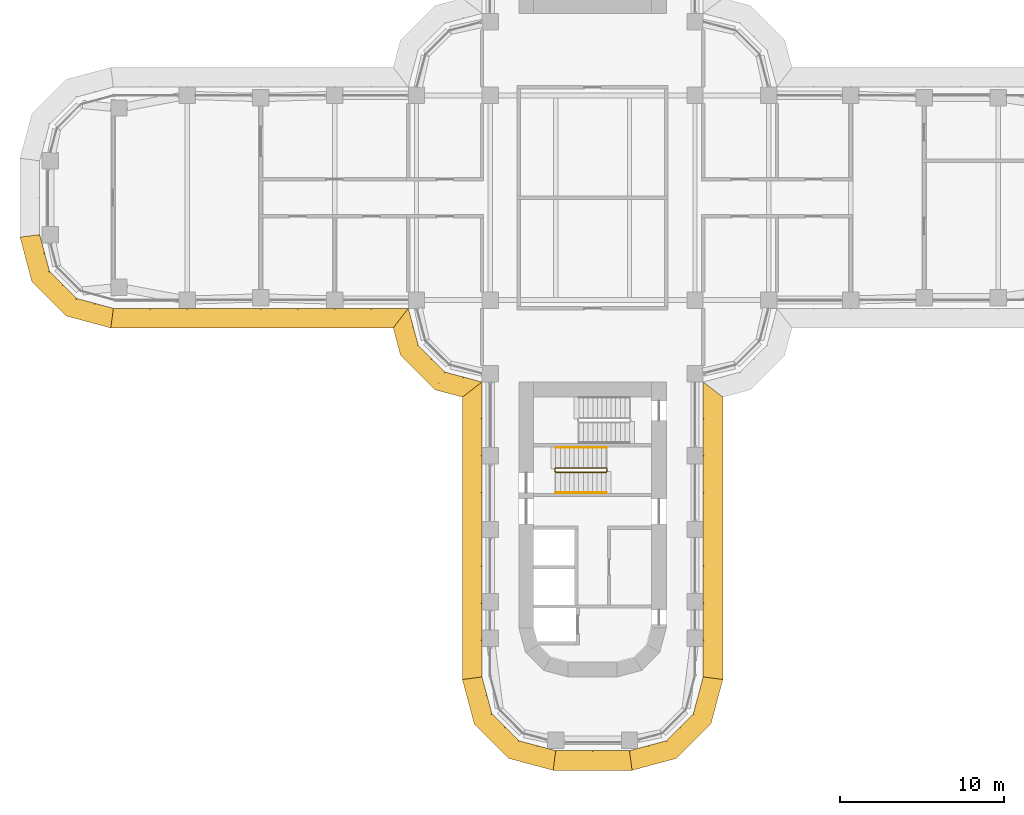
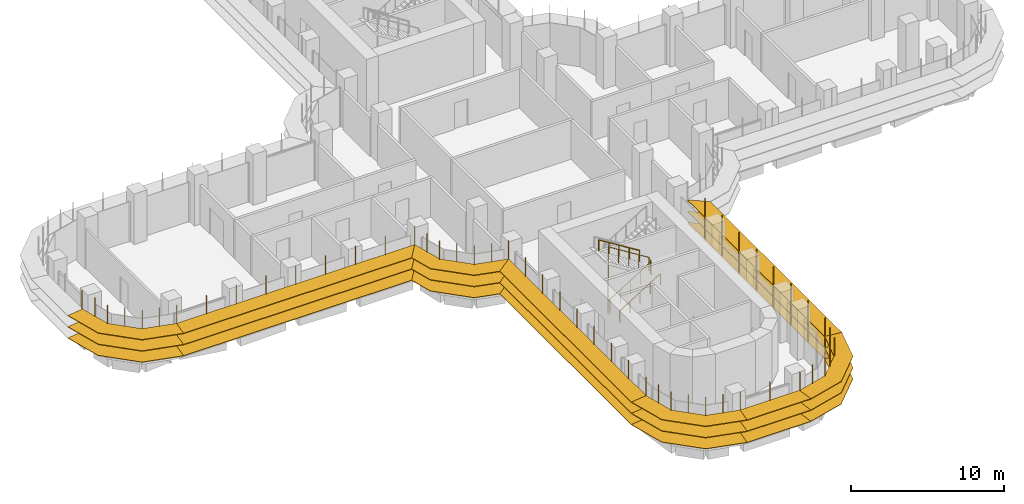
# One storey, part 20 of 23: 8 shading devices, 3 railings.
"""IFC4 building model written with IfcOpenShell, lengths in metres."""

import ifcopenshell
import ifcopenshell.guid

model = None  # the IFC model being written
_history = None  # IfcOwnerHistory: only IFC2X3 demands one
_inside = {}  # id of a spatial element -> (the spatial element, [elements in it])
_under = {}  # id of a project, library or spatial element -> (it, [spatial elements below it])
_declared = {}  # id of a project -> (the project, [libraries it declares])
_typed = {}  # id of a type object -> (the type object, [elements of that type])
_made_of = {}  # id of a material, layer set ... -> (it, [elements and type objects made of it])


def new_model(schema):
    """Start an empty IFC model of exactly this schema.

    Asked for "IFC4X3", IfcOpenShell would pick the latest addendum, in which some entities
    have other attributes; the version numbers below select the first issue.
    IFC2X3 requires an IfcOwnerHistory on every rooted entity: one is made here for all.
    """
    global model, _history
    if schema == "IFC4X3":
        model = ifcopenshell.file(schema_version=(4, 3, 0, 0))
    else:
        model = ifcopenshell.file(schema=schema)
    _inside.clear()
    _under.clear()
    _declared.clear()
    _typed.clear()
    _made_of.clear()
    _history = None
    if model.schema == "IFC2X3":
        org = make("IfcOrganization", Name="unknown")
        user = make(
            "IfcPersonAndOrganization",
            ThePerson=make("IfcPerson", FamilyName="unknown"),
            TheOrganization=org,
        )
        app = make(
            "IfcApplication",
            ApplicationDeveloper=org,
            Version="unknown",
            ApplicationFullName="unknown",
            ApplicationIdentifier="unknown",
        )
        _history = make(
            "IfcOwnerHistory",
            OwningUser=user,
            OwningApplication=app,
            ChangeAction="ADDED",
            CreationDate=0,
        )
    return model


def make(cls, **values):
    """One entity of the class cls with the attributes given. An attribute that is None is left unset."""
    return model.create_entity(
        cls, **{name: value for name, value in values.items() if value is not None}
    )


def rooted(cls, **values):
    """An entity with a GlobalId (a new one), such as an element, a storey or a relation."""
    return make(cls, GlobalId=ifcopenshell.guid.new(), OwnerHistory=_history, **values)


def si_unit(unit_type, name, prefix=None):
    """IfcSIUnit, for example si_unit("LENGTHUNIT", "METRE", prefix="MILLI")."""
    return make("IfcSIUnit", UnitType=unit_type, Prefix=prefix, Name=name)


def assignment(units):
    """IfcUnitAssignment: the units of a project."""
    return None if units is None else make("IfcUnitAssignment", Units=units)


def point(xyz):
    """IfcCartesianPoint."""
    return None if xyz is None else make("IfcCartesianPoint", Coordinates=xyz)


def direction(xyz):
    """IfcDirection."""
    return None if xyz is None else make("IfcDirection", DirectionRatios=xyz)


def frame(location, z_axis=None, x_axis=None):
    """IfcAxis2Placement3D, a coordinate frame: its origin and axes. An axis left out is left unset."""
    return make(
        "IfcAxis2Placement3D",
        Location=point(location),
        Axis=direction(z_axis),
        RefDirection=direction(x_axis),
    )


def frame_2d(location, x_axis=None):
    """IfcAxis2Placement2D, a coordinate frame in the plane: its origin and x axis."""
    return make(
        "IfcAxis2Placement2D", Location=point(location), RefDirection=direction(x_axis)
    )


def origin():
    """The frame at (0, 0, 0) with its axes left unset."""
    return frame((0.0, 0.0, 0.0))


def origin_2d():
    """The frame at (0, 0) in the plane with its x axis left unset."""
    return frame_2d((0.0, 0.0))


def place(relative_to, where):
    """IfcLocalPlacement: puts the frame where relative to a parent placement (None: the world)."""
    return make(
        "IfcLocalPlacement", PlacementRelTo=relative_to, RelativePlacement=where
    )


def context(
    kind, dimensions, precision=None, world=None, true_north=None, identifier=None
):
    """IfcGeometricRepresentationContext, for example the 3D "Model" context."""
    return make(
        "IfcGeometricRepresentationContext",
        ContextIdentifier=identifier,
        ContextType=kind,
        CoordinateSpaceDimension=dimensions,
        Precision=precision,
        WorldCoordinateSystem=world,
        TrueNorth=true_north,
    )


def subcontext(parent, identifier, kind, view, scale=None):
    """IfcGeometricRepresentationSubContext, for example "Body" below "Model"."""
    return make(
        "IfcGeometricRepresentationSubContext",
        ContextIdentifier=identifier,
        ContextType=kind,
        ParentContext=parent,
        TargetScale=scale,
        TargetView=view,
    )


def project(units=None, contexts=None):
    """IfcProject with its units and contexts."""
    return rooted(
        "IfcProject",
        Name="project",
        RepresentationContexts=contexts,
        UnitsInContext=assignment(units),
    )


def spatial(cls, under=None, at=None, **own):
    """A site, building, storey or space (cls), placed at a placement, below another one or the project."""
    s = rooted(cls, ObjectPlacement=at, **own)
    if under is not None:
        _under.setdefault(under.id(), (under, []))[1].append(s)
    return s


def polyline(points):
    """IfcPolyline through the points."""
    return make("IfcPolyline", Points=[point(p) for p in points])


def profile(cls, at=None, kind="AREA", **sizes):
    """A parametric profile (cls). Its sizes go by their IFC names, for example OverallWidth=200.0."""
    return make(cls, ProfileType=kind, Position=at, **sizes)


def circle(**sizes):
    """IfcCircleProfileDef."""
    return profile("IfcCircleProfileDef", **sizes)


def outline(outer, holes=None, kind="AREA"):
    """IfcArbitraryClosedProfileDef: a profile drawn as a closed curve; with holes, ...WithVoids."""
    if holes is None:
        return make("IfcArbitraryClosedProfileDef", ProfileType=kind, OuterCurve=outer)
    return make(
        "IfcArbitraryProfileDefWithVoids",
        ProfileType=kind,
        OuterCurve=outer,
        InnerCurves=holes,
    )


def extrude(swept, where, along, depth):
    """IfcExtrudedAreaSolid: the profile swept, set in the frame where, extruded along a direction by depth."""
    return make(
        "IfcExtrudedAreaSolid",
        SweptArea=swept,
        Position=where,
        ExtrudedDirection=direction(along),
        Depth=depth,
    )


def faces_of(points, faces, orient=None, outer=None):
    """IfcFace entities. A face is a list of loops; a loop is a list of indices into points, from 0.

    orient and outer hold one flag for each loop. By default every Orientation is true, the
    first loop of a face is its IfcFaceOuterBound and the others are IfcFaceBound.
    """
    made = []
    for i, loops in enumerate(faces):
        bounds = []
        for j, loop in enumerate(loops):
            is_outer = j == 0 if outer is None else outer[i][j]
            bounds.append(
                make(
                    "IfcFaceOuterBound" if is_outer else "IfcFaceBound",
                    Bound=make("IfcPolyLoop", Polygon=[points[k] for k in loop]),
                    Orientation=True if orient is None else orient[i][j],
                )
            )
        made.append(make("IfcFace", Bounds=bounds))
    return made


def faceted_brep(points, faces, orient=None, outer=None, voids=None):
    """IfcFacetedBrep: a solid bounded by flat faces; with voids (closed shells), ...WithVoids."""
    shared = [point(p) for p in points]
    hull = make("IfcClosedShell", CfsFaces=faces_of(shared, faces, orient, outer))
    if voids is None:
        return make("IfcFacetedBrep", Outer=hull)
    return make(
        "IfcFacetedBrepWithVoids",
        Outer=hull,
        Voids=[
            make(cls, CfsFaces=faces_of(shared, fs, o, b)) for cls, fs, o, b in voids
        ],
    )


def shape(context_of_items, identifier, shape_type, items):
    """IfcShapeRepresentation: the items that make up one representation, for example the "Body"."""
    return make(
        "IfcShapeRepresentation",
        ContextOfItems=context_of_items,
        RepresentationIdentifier=identifier,
        RepresentationType=shape_type,
        Items=items,
    )


def source(mapping_origin, context_of_items, identifier, shape_type, items):
    """IfcRepresentationMap: a shape defined once, which mapped items show again and again."""
    return make(
        "IfcRepresentationMap",
        MappingOrigin=mapping_origin,
        MappedRepresentation=shape(context_of_items, identifier, shape_type, items),
    )


def transform(
    local_origin,
    x_axis=None,
    y_axis=None,
    z_axis=None,
    scale=None,
    scale2=None,
    scale3=None,
    uniform=True,
):
    """IfcCartesianTransformationOperator3D, or its non-uniform kind. x_axis, y_axis, z_axis: its Axis1, 2, 3."""
    if uniform:
        return make(
            "IfcCartesianTransformationOperator3D",
            Axis1=direction(x_axis),
            Axis2=direction(y_axis),
            LocalOrigin=point(local_origin),
            Scale=scale,
            Axis3=direction(z_axis),
        )
    return make(
        "IfcCartesianTransformationOperator3DnonUniform",
        Axis1=direction(x_axis),
        Axis2=direction(y_axis),
        LocalOrigin=point(local_origin),
        Scale=scale,
        Axis3=direction(z_axis),
        Scale2=scale2,
        Scale3=scale3,
    )


def mapped(mapping_source, mapping_target):
    """IfcMappedItem: shows the shape of a source again, moved by a transform."""
    return make(
        "IfcMappedItem", MappingSource=mapping_source, MappingTarget=mapping_target
    )


def material(Name=None, Category=None):
    """IfcMaterial."""
    return make("IfcMaterial", Name=Name, Category=Category)


def made_of(thing, what):
    """Note that an element or type object is made of a material, layer set ...; save() writes the relation."""
    if what is not None:
        _made_of.setdefault(what.id(), (what, []))[1].append(thing)
    return thing


def type_object(cls, material=None, **own):
    """A type object (cls), such as IfcWallType, which elements share."""
    return made_of(rooted(cls, **own), material)


def element(
    cls,
    number,
    at=None,
    inside=None,
    cuts=None,
    type_object=None,
    material=None,
    context=None,
    identifier="Body",
    shape_type=None,
    held_by="IfcProductDefinitionShape",
    body=None,
    shapes=None,
    **own,
):
    """One element of the class cls, such as IfcWall. Its Tag is "e" and its number.

    at: its placement. inside: the storey or other place that contains it. cuts: it is an
    opening in that element (IfcRelVoidsElement). A single representation is given by context,
    identifier, shape_type and body (its items); several are given by shapes. held_by: the class
    of the entity that holds the representations. save() writes the other relations.
    """
    e = rooted(cls, Tag="e%d" % number, ObjectPlacement=at, **own)
    if body is not None:
        shapes = [shape(context, identifier, shape_type, body)]
    if shapes is not None:
        e.Representation = make(held_by, Representations=shapes)
    if inside is not None:
        _inside.setdefault(inside.id(), (inside, []))[1].append(e)
    if cuts is not None:
        rooted(
            "IfcRelVoidsElement", RelatingBuildingElement=cuts, RelatedOpeningElement=e
        )
    if type_object is not None:
        _typed.setdefault(type_object.id(), (type_object, []))[1].append(e)
    return made_of(e, material)


def aggregate(whole, parts):
    """IfcRelAggregates: a whole, such as a stair, and the parts it consists of."""
    return rooted("IfcRelAggregates", RelatingObject=whole, RelatedObjects=parts)


def save(model, path):
    """Write the relations noted so far, then the file.

    IfcRelAggregates (storeys below a building ...), IfcRelContainedInSpatialStructure (elements
    in a storey), IfcRelDefinesByType, IfcRelAssociatesMaterial and IfcRelDeclares: one each for
    every whole, place, type object, material and project.
    """
    for whole, parts in _under.values():
        aggregate(whole, parts)
    for where, things in _inside.values():
        rooted(
            "IfcRelContainedInSpatialStructure",
            RelatedElements=things,
            RelatingStructure=where,
        )
    for kind, things in _typed.values():
        rooted("IfcRelDefinesByType", RelatedObjects=things, RelatingType=kind)
    for what, things in _made_of.values():
        rooted("IfcRelAssociatesMaterial", RelatedObjects=things, RelatingMaterial=what)
    for by, libraries in _declared.values():
        rooted("IfcRelDeclares", RelatingContext=by, RelatedDefinitions=libraries)
    model.write(path)


model = new_model("IFC4")

# Units and contexts
model_context = context("Model", 3, precision=1e-05, world=origin(), true_north=direction((0.0, 1.0)))
body_context = subcontext(model_context, "Body", "Model", "MODEL_VIEW")
ifc_project = project(units=[si_unit("LENGTHUNIT", "METRE"), si_unit("AREAUNIT", "SQUARE_METRE"), si_unit("VOLUMEUNIT", "CUBIC_METRE"), si_unit("PLANEANGLEUNIT", "RADIAN"), si_unit("MASSUNIT", "GRAM", prefix="KILO")], contexts=[model_context])

# Site, building, storey
site_placement = place(None, origin())
site = spatial("IfcSite", under=ifc_project, at=site_placement, CompositionType="ELEMENT")
building_placement = place(site_placement, origin())
building = spatial("IfcBuilding", under=site, at=building_placement, Name="Zarbagh Exchange Tower", CompositionType="ELEMENT")
storey_placement = place(building_placement, frame((0.0, 0.0, 43.800048828125)))
storey = spatial("IfcBuildingStorey", under=building, at=storey_placement, Name="L09", CompositionType="ELEMENT", Elevation=43.800048828125)

# Railings
ifc_material_1 = material(Name="Stainless steel", Category="steel")
railing_type_1 = type_object("IfcRailingType", Name="Stair guard 1100 mm", PredefinedType="GUARDRAIL", material=ifc_material_1)
railing_1_placement = place(storey_placement, frame((0.830078125, -16.5, 2.27490234375)))
element("IfcRailing", 1, at=railing_1_placement, inside=storey, type_object=railing_type_1, Name="ST3 stair guard 1", PredefinedType="GUARDRAIL", context=body_context, shape_type="SweptSolid", body=[
    extrude(circle(Radius=0.02392578125, at=origin_2d()), frame((0.0, 0.0, 1.076171875), z_axis=(-0.847998304005, 0.0, 0.529998940003), x_axis=(0.0, -1.0, 0.0)), (0.0, 0.0, 1.0), 3.632080078125),
    extrude(circle(Radius=0.02392578125, at=origin_2d()), frame((-3.080078125, 0.0, 3.0009765625), z_axis=(-0.011914834358, -0.011914834358, -0.999858026644), x_axis=(0.707106781187, -0.707106781187, 0.0)), (0.0, 0.0, 1.0), 4.200439453125),
    extrude(circle(Radius=0.02392578125, at=origin_2d()), frame((-3.130126953125, -0.050048828125, -1.19873046875), z_axis=(0.0, -1.0, 0.0), x_axis=(1.0, 0.0, 0.0)), (0.0, 0.0, 1.0), 0.14990234375),
    extrude(circle(Radius=0.02392578125, at=origin_2d()), frame((-3.130126953125, -0.199951171875, -1.19873046875), z_axis=(0.265065253269, -0.265065253269, 0.927081885822), x_axis=(0.707106781187, 0.707106781187, 0.0)), (0.0, 0.0, 1.0), 0.188720703125),
    extrude(circle(Radius=0.02392578125, at=origin_2d()), frame((-3.080078125, -0.25, -1.02392578125), z_axis=(0.848028513186, 0.0, 0.529950602248), x_axis=(0.0, 1.0, 0.0)), (0.0, 0.0, 1.0), 3.632080078125),
    extrude(circle(Radius=0.02392578125, at=origin_2d()), frame((0.0, -0.25, 0.90087890625), z_axis=(0.705375805398, 0.708833529934, 0.0), x_axis=(-0.708833529934, 0.705375805398, 0.0)), (0.0, 0.0, 1.0), 0.070556640625),
    extrude(circle(Radius=0.02392578125, at=origin_2d()), frame((0.0498046875, -0.199951171875, 0.90087890625), z_axis=(0.0, 1.0, 0.0), x_axis=(-1.0, 0.0, 0.0)), (0.0, 0.0, 1.0), 0.14990234375),
    extrude(circle(Radius=0.02099609375, at=origin_2d()), origin(), (0.0, 0.0, 1.0), 1.052001953125),
    extrude(circle(Radius=0.02099609375, at=origin_2d()), frame((-0.77001953125, 0.0, 0.481201171875)), (0.0, 0.0, 1.0), 1.052001953125),
    extrude(circle(Radius=0.02099609375, at=origin_2d()), frame((-1.5400390625, 0.0, 0.96240234375)), (0.0, 0.0, 1.0), 1.052001953125),
    extrude(circle(Radius=0.02099609375, at=origin_2d()), frame((-2.31005859375, 0.0, 1.44384765625)), (0.0, 0.0, 1.0), 1.052001953125),
    extrude(circle(Radius=0.02099609375, at=origin_2d()), frame((-3.080078125, 0.0, 1.925048828125)), (0.0, 0.0, 1.0), 1.052001953125),
    extrude(circle(Radius=0.02099609375, at=origin_2d()), frame((-3.092529296875, -0.012451171875, 0.875)), (0.0, 0.0, 1.0), 1.052001953125),
    extrude(circle(Radius=0.02099609375, at=origin_2d()), frame((-3.10498046875, -0.02490234375, -0.1748046875)), (0.0, 0.0, 1.0), 1.052001953125),
    extrude(circle(Radius=0.02099609375, at=origin_2d()), frame((-3.11767578125, -0.03759765625, -1.224853515625)), (0.0, 0.0, 1.0), 1.052001953125),
    extrude(circle(Radius=0.02099609375, at=origin_2d()), frame((-3.130126953125, -0.050048828125, -2.27490234375)), (0.0, 0.0, 1.0), 1.052001953125),
    extrude(circle(Radius=0.02099609375, at=origin_2d()), frame((-3.130126953125, -0.199951171875, -2.27490234375)), (0.0, 0.0, 1.0), 1.052001953125),
    extrude(circle(Radius=0.02099609375, at=origin_2d()), frame((-3.080078125, -0.25, -2.099853515625)), (0.0, 0.0, 1.0), 1.052001953125),
    extrude(circle(Radius=0.02099609375, at=origin_2d()), frame((-2.31005859375, -0.25, -1.61865234375)), (0.0, 0.0, 1.0), 1.052001953125),
    extrude(circle(Radius=0.02099609375, at=origin_2d()), frame((-1.5400390625, -0.25, -1.137451171875)), (0.0, 0.0, 1.0), 1.052001953125),
    extrude(circle(Radius=0.02099609375, at=origin_2d()), frame((-0.77001953125, -0.25, -0.65625)), (0.0, 0.0, 1.0), 1.052001953125),
    extrude(circle(Radius=0.02099609375, at=origin_2d()), frame((0.0, -0.25, -0.175048828125)), (0.0, 0.0, 1.0), 1.052001953125),
    extrude(circle(Radius=0.02099609375, at=origin_2d()), frame((0.0498046875, -0.199951171875, -0.175048828125)), (0.0, 0.0, 1.0), 1.052001953125),
    extrude(circle(Radius=0.02099609375, at=origin_2d()), frame((0.0498046875, -0.050048828125, -0.175048828125)), (0.0, 0.0, 1.0), 1.052001953125),
])
railing_type_2 = type_object("IfcRailingType", Name="Stair handrail 900 mm", PredefinedType="HANDRAIL", material=ifc_material_1)
railing_2_placement = place(storey_placement, frame((-2.25, -18.0, 0.175048828125)))
element("IfcRailing", 2, at=railing_2_placement, inside=storey, type_object=railing_type_2, Name="ST3 stair handrail 1", PredefinedType="HANDRAIL", context=body_context, shape_type="SweptSolid", body=[
    extrude(circle(Radius=0.02392578125, at=origin_2d()), frame((0.0, 0.0, 0.8759765625), z_axis=(0.848028513186, 0.0, 0.529950602248), x_axis=(0.0, 1.0, 0.0)), (0.0, 0.0, 1.0), 3.632080078125),
    extrude(circle(Radius=0.02099609375, at=origin_2d()), origin(), (0.0, 0.0, 1.0), 0.851806640625),
    extrude(circle(Radius=0.02099609375, at=origin_2d()), frame((0.77001953125, 0.0, 0.481201171875)), (0.0, 0.0, 1.0), 0.851806640625),
    extrude(circle(Radius=0.02099609375, at=origin_2d()), frame((1.5400390625, 0.0, 0.96240234375)), (0.0, 0.0, 1.0), 0.851806640625),
    extrude(circle(Radius=0.02099609375, at=origin_2d()), frame((2.31005859375, 0.0, 1.443603515625)), (0.0, 0.0, 1.0), 0.851806640625),
    extrude(circle(Radius=0.02099609375, at=origin_2d()), frame((3.080078125, 0.0, 1.9248046875)), (0.0, 0.0, 1.0), 0.851806640625),
])
railing_3_placement = place(storey_placement, frame((0.830078125, -15.25, 2.27490234375)))
element("IfcRailing", 3, at=railing_3_placement, inside=storey, type_object=railing_type_2, Name="ST3 stair handrail 2", PredefinedType="HANDRAIL", context=body_context, shape_type="SweptSolid", body=[
    extrude(circle(Radius=0.02392578125, at=origin_2d()), frame((0.0, 0.0, 0.8759765625), z_axis=(-0.847998304005, 0.0, 0.529998940003), x_axis=(0.0, -1.0, 0.0)), (0.0, 0.0, 1.0), 3.632080078125),
    extrude(circle(Radius=0.02099609375, at=origin_2d()), origin(), (0.0, 0.0, 1.0), 0.851806640625),
    extrude(circle(Radius=0.02099609375, at=origin_2d()), frame((-0.77001953125, 0.0, 0.481201171875)), (0.0, 0.0, 1.0), 0.851806640625),
    extrude(circle(Radius=0.02099609375, at=origin_2d()), frame((-1.5400390625, 0.0, 0.96240234375)), (0.0, 0.0, 1.0), 0.851806640625),
    extrude(circle(Radius=0.02099609375, at=origin_2d()), frame((-2.31005859375, 0.0, 1.44384765625)), (0.0, 0.0, 1.0), 0.851806640625),
    extrude(circle(Radius=0.02099609375, at=origin_2d()), frame((-3.080078125, 0.0, 1.925048828125)), (0.0, 0.0, 1.0), 0.851806640625),
])

# Shading devices
ifc_material_2 = material(Name="Anodised aluminium blades and brackets", Category="aluminium")
shading_device_type = type_object("IfcShadingDeviceType", Name="SUNSHADE louvre band, 0 degree blades", PredefinedType="JALOUSIE", material=ifc_material_2)
shared_shape_1 = source(origin(), body_context, "Body", "Brep", [
    faceted_brep([(0.0, 0.0, 0.0), (0.0, 0.0, -0.0400390625), (-0.157958984375, -1.199951171875, -0.0400390625), (-0.157958984375, -1.199951171875, 0.0), (2.65087890625, -1.199951171875, 0.0), (2.65087890625, -1.199951171875, -0.0400390625), (2.329345703125, 0.0, -0.0400390625), (2.329345703125, 0.0, 0.0)], [[[0, 1, 2, 3]], [[4, 5, 6, 7]], [[0, 7, 6, 1]], [[1, 6, 5, 2]], [[2, 5, 4, 3]], [[3, 4, 7, 0]]]),
])
shared_shape_2 = source(origin(), body_context, "Body", "Brep", [
    faceted_brep([(0.0, 0.0, 0.0), (0.0, 0.0, -0.0400390625), (-0.321533203125, -1.199951171875, -0.0400390625), (-0.321533203125, -1.199951171875, 0.0), (2.65087890625, -1.199951171875, 0.0), (2.65087890625, -1.199951171875, -0.0400390625), (2.329345703125, 0.0, -0.0400390625), (2.329345703125, 0.0, 0.0)], [[[0, 1, 2, 3]], [[4, 5, 6, 7]], [[0, 7, 6, 1]], [[1, 6, 5, 2]], [[2, 5, 4, 3]], [[3, 4, 7, 0]]]),
])
shared_shape_3 = source(origin(), body_context, "Body", "Brep", [
    faceted_brep([(0.0, 0.0, 0.0), (0.0, 0.0, -0.0400390625), (-0.321533203125, -1.199951171875, -0.0400390625), (-0.321533203125, -1.199951171875, 0.0), (2.4873046875, -1.199951171875, 0.0), (2.4873046875, -1.199951171875, -0.0400390625), (2.329345703125, 0.0, -0.0400390625), (2.329345703125, 0.0, 0.0)], [[[0, 1, 2, 3]], [[4, 5, 6, 7]], [[0, 7, 6, 1]], [[1, 6, 5, 2]], [[2, 5, 4, 3]], [[3, 4, 7, 0]]]),
])
shared_shape_4 = source(origin(), body_context, "Body", "SweptSolid", [
    extrude(outline(polyline([(0.0, -0.012451171875), (0.06005859375, -0.012451171875), (0.06005859375, 0.012451171875), (0.0, 0.012451171875), (0.0, -0.012451171875)])), origin(), (0.0, 0.0, 1.0), 3.35009765625),
])
placement = place(storey_placement, origin())
element("IfcShadingDevice", 4, at=placement, inside=storey, type_object=shading_device_type, Name="SS01 sunshade band", PredefinedType="JALOUSIE", context=body_context, shape_type="MappedRepresentation", body=[
    mapped(shared_shape_1, transform((2.25, -33.75, 2.699951171875), x_axis=(0.965924289636, 0.258824779902, 0.0), y_axis=(-0.258824779902, 0.965924289636, 0.0), z_axis=(0.0, 0.0, 1.0))),
    mapped(shared_shape_1, transform((2.25, -33.75, 1.800048828125), x_axis=(0.965924289636, 0.258824779902, 0.0), y_axis=(-0.258824779902, 0.965924289636, 0.0), z_axis=(0.0, 0.0, 1.0))),
    mapped(shared_shape_1, transform((2.25, -33.75, 0.89990234375), x_axis=(0.965924289636, 0.258824779902, 0.0), y_axis=(-0.258824779902, 0.965924289636, 0.0), z_axis=(0.0, 0.0, 1.0))),
    mapped(shared_shape_2, transform((4.5, -33.147216796875, 2.699951171875), x_axis=(0.707106781187, 0.707106781187, 0.0), y_axis=(-0.707106781187, 0.707106781187, 0.0), z_axis=(0.0, 0.0, 1.0))),
    mapped(shared_shape_2, transform((4.5, -33.147216796875, 1.800048828125), x_axis=(0.707106781187, 0.707106781187, 0.0), y_axis=(-0.707106781187, 0.707106781187, 0.0), z_axis=(0.0, 0.0, 1.0))),
    mapped(shared_shape_2, transform((4.5, -33.147216796875, 0.89990234375), x_axis=(0.707106781187, 0.707106781187, 0.0), y_axis=(-0.707106781187, 0.707106781187, 0.0), z_axis=(0.0, 0.0, 1.0))),
    mapped(shared_shape_3, transform((6.147216796875, -31.5, 2.699951171875), x_axis=(0.258824779902, 0.965924289636, 0.0), y_axis=(-0.965924289636, 0.258824779902, 0.0), z_axis=(0.0, 0.0, 1.0))),
    mapped(shared_shape_3, transform((6.147216796875, -31.5, 1.800048828125), x_axis=(0.258824779902, 0.965924289636, 0.0), y_axis=(-0.965924289636, 0.258824779902, 0.0), z_axis=(0.0, 0.0, 1.0))),
    mapped(shared_shape_3, transform((6.147216796875, -31.5, 0.89990234375), x_axis=(0.258824779902, 0.965924289636, 0.0), y_axis=(-0.965924289636, 0.258824779902, 0.0), z_axis=(0.0, 0.0, 1.0))),
    mapped(shared_shape_4, transform((2.25, -33.75, 0.829833984375), x_axis=(0.130529263012, -0.991444457092, 0.0), y_axis=(0.991444457092, 0.130529263012, 0.0), z_axis=(0.0, 0.0, 1.0))),
    mapped(shared_shape_4, transform((3.375, -33.448486328125, 0.829833984375), x_axis=(0.258825058029, -0.96592421511, 0.0), y_axis=(0.96592421511, 0.258825058029, 0.0), z_axis=(0.0, 0.0, 1.0))),
    mapped(shared_shape_4, transform((4.5, -33.147216796875, 0.829833984375), x_axis=(0.50000275701, -0.866023812018, 0.0), y_axis=(0.866023812018, 0.50000275701, 0.0), z_axis=(0.0, 0.0, 1.0))),
    mapped(shared_shape_4, transform((5.323486328125, -32.323486328125, 0.829833984375), x_axis=(0.707106781187, -0.707106781187, 0.0), y_axis=(0.707106781187, 0.707106781187, 0.0), z_axis=(0.0, 0.0, 1.0))),
    mapped(shared_shape_4, transform((6.147216796875, -31.5, 0.829833984375), x_axis=(0.866023812018, -0.50000275701, 0.0), y_axis=(0.50000275701, 0.866023812018, 0.0), z_axis=(0.0, 0.0, 1.0))),
    mapped(shared_shape_4, transform((6.448486328125, -30.375, 0.829833984375), x_axis=(0.96592421511, -0.258825058029, 0.0), y_axis=(0.258825058029, 0.96592421511, 0.0), z_axis=(0.0, 0.0, 1.0))),
])
element("IfcShadingDevice", 5, at=placement, inside=storey, type_object=shading_device_type, Name="SS19 sunshade band", PredefinedType="JALOUSIE", context=body_context, shape_type="MappedRepresentation", body=[
    mapped(shared_shape_1, transform((-33.75, -2.25, 2.699951171875), x_axis=(0.258824779902, -0.965924289636, 0.0), y_axis=(0.965924289636, 0.258824779902, 0.0), z_axis=(0.0, 0.0, 1.0))),
    mapped(shared_shape_1, transform((-33.75, -2.25, 1.800048828125), x_axis=(0.258824779902, -0.965924289636, 0.0), y_axis=(0.965924289636, 0.258824779902, 0.0), z_axis=(0.0, 0.0, 1.0))),
    mapped(shared_shape_1, transform((-33.75, -2.25, 0.89990234375), x_axis=(0.258824779902, -0.965924289636, 0.0), y_axis=(0.965924289636, 0.258824779902, 0.0), z_axis=(0.0, 0.0, 1.0))),
    mapped(shared_shape_2, transform((-33.147216796875, -4.5, 2.699951171875), x_axis=(0.707106781187, -0.707106781187, 0.0), y_axis=(0.707106781187, 0.707106781187, 0.0), z_axis=(0.0, 0.0, 1.0))),
    mapped(shared_shape_2, transform((-33.147216796875, -4.5, 1.800048828125), x_axis=(0.707106781187, -0.707106781187, 0.0), y_axis=(0.707106781187, 0.707106781187, 0.0), z_axis=(0.0, 0.0, 1.0))),
    mapped(shared_shape_2, transform((-33.147216796875, -4.5, 0.89990234375), x_axis=(0.707106781187, -0.707106781187, 0.0), y_axis=(0.707106781187, 0.707106781187, 0.0), z_axis=(0.0, 0.0, 1.0))),
    mapped(shared_shape_3, transform((-31.5, -6.147216796875, 2.699951171875), x_axis=(0.965924289636, -0.258824779902, 0.0), y_axis=(0.258824779902, 0.965924289636, 0.0), z_axis=(0.0, 0.0, 1.0))),
    mapped(shared_shape_3, transform((-31.5, -6.147216796875, 1.800048828125), x_axis=(0.965924289636, -0.258824779902, 0.0), y_axis=(0.258824779902, 0.965924289636, 0.0), z_axis=(0.0, 0.0, 1.0))),
    mapped(shared_shape_3, transform((-31.5, -6.147216796875, 0.89990234375), x_axis=(0.965924289636, -0.258824779902, 0.0), y_axis=(0.258824779902, 0.965924289636, 0.0), z_axis=(0.0, 0.0, 1.0))),
    mapped(shared_shape_4, transform((-33.75, -2.25, 0.829833984375), x_axis=(-0.991444457092, -0.130529263012, 0.0), y_axis=(0.130529263012, -0.991444457092, 0.0), z_axis=(0.0, 0.0, 1.0))),
    mapped(shared_shape_4, transform((-33.448486328125, -3.375, 0.829833984375), x_axis=(-0.96592421511, -0.258825058029, 0.0), y_axis=(0.258825058029, -0.96592421511, 0.0), z_axis=(0.0, 0.0, 1.0))),
    mapped(shared_shape_4, transform((-33.147216796875, -4.5, 0.829833984375), x_axis=(-0.866023812018, -0.50000275701, 0.0), y_axis=(0.50000275701, -0.866023812018, 0.0), z_axis=(0.0, 0.0, 1.0))),
    mapped(shared_shape_4, transform((-32.323486328125, -5.323486328125, 0.829833984375), x_axis=(-0.707106781187, -0.707106781187, 0.0), y_axis=(0.707106781187, -0.707106781187, 0.0), z_axis=(0.0, 0.0, 1.0))),
    mapped(shared_shape_4, transform((-31.5, -6.147216796875, 0.829833984375), x_axis=(-0.50000275701, -0.866023812018, 0.0), y_axis=(0.866023812018, -0.50000275701, 0.0), z_axis=(0.0, 0.0, 1.0))),
    mapped(shared_shape_4, transform((-30.375, -6.448486328125, 0.829833984375), x_axis=(-0.258825058029, -0.96592421511, 0.0), y_axis=(0.96592421511, -0.258825058029, 0.0), z_axis=(0.0, 0.0, 1.0))),
])
element("IfcShadingDevice", 6, at=placement, inside=storey, type_object=shading_device_type, Name="SS23 sunshade band", PredefinedType="JALOUSIE", context=body_context, shape_type="MappedRepresentation", body=[
    mapped(shared_shape_1, transform((-6.75, -29.25, 2.699951171875), x_axis=(0.258824779902, -0.965924289636, 0.0), y_axis=(0.965924289636, 0.258824779902, 0.0), z_axis=(0.0, 0.0, 1.0))),
    mapped(shared_shape_1, transform((-6.75, -29.25, 1.800048828125), x_axis=(0.258824779902, -0.965924289636, 0.0), y_axis=(0.965924289636, 0.258824779902, 0.0), z_axis=(0.0, 0.0, 1.0))),
    mapped(shared_shape_1, transform((-6.75, -29.25, 0.89990234375), x_axis=(0.258824779902, -0.965924289636, 0.0), y_axis=(0.965924289636, 0.258824779902, 0.0), z_axis=(0.0, 0.0, 1.0))),
    mapped(shared_shape_2, transform((-6.147216796875, -31.5, 2.699951171875), x_axis=(0.707106781187, -0.707106781187, 0.0), y_axis=(0.707106781187, 0.707106781187, 0.0), z_axis=(0.0, 0.0, 1.0))),
    mapped(shared_shape_2, transform((-6.147216796875, -31.5, 1.800048828125), x_axis=(0.707106781187, -0.707106781187, 0.0), y_axis=(0.707106781187, 0.707106781187, 0.0), z_axis=(0.0, 0.0, 1.0))),
    mapped(shared_shape_2, transform((-6.147216796875, -31.5, 0.89990234375), x_axis=(0.707106781187, -0.707106781187, 0.0), y_axis=(0.707106781187, 0.707106781187, 0.0), z_axis=(0.0, 0.0, 1.0))),
    mapped(shared_shape_3, transform((-4.5, -33.147216796875, 2.699951171875), x_axis=(0.965924289636, -0.258824779902, 0.0), y_axis=(0.258824779902, 0.965924289636, 0.0), z_axis=(0.0, 0.0, 1.0))),
    mapped(shared_shape_3, transform((-4.5, -33.147216796875, 1.800048828125), x_axis=(0.965924289636, -0.258824779902, 0.0), y_axis=(0.258824779902, 0.965924289636, 0.0), z_axis=(0.0, 0.0, 1.0))),
    mapped(shared_shape_3, transform((-4.5, -33.147216796875, 0.89990234375), x_axis=(0.965924289636, -0.258824779902, 0.0), y_axis=(0.258824779902, 0.965924289636, 0.0), z_axis=(0.0, 0.0, 1.0))),
    mapped(shared_shape_4, transform((-6.75, -29.25, 0.829833984375), x_axis=(-0.991444457092, -0.130529263012, 0.0), y_axis=(0.130529263012, -0.991444457092, 0.0), z_axis=(0.0, 0.0, 1.0))),
    mapped(shared_shape_4, transform((-6.448486328125, -30.375, 0.829833984375), x_axis=(-0.96592421511, -0.258825058029, 0.0), y_axis=(0.258825058029, -0.96592421511, 0.0), z_axis=(0.0, 0.0, 1.0))),
    mapped(shared_shape_4, transform((-6.147216796875, -31.5, 0.829833984375), x_axis=(-0.866023812018, -0.50000275701, 0.0), y_axis=(0.50000275701, -0.866023812018, 0.0), z_axis=(0.0, 0.0, 1.0))),
    mapped(shared_shape_4, transform((-5.323486328125, -32.323486328125, 0.829833984375), x_axis=(-0.707106781187, -0.707106781187, 0.0), y_axis=(0.707106781187, -0.707106781187, 0.0), z_axis=(0.0, 0.0, 1.0))),
    mapped(shared_shape_4, transform((-4.5, -33.147216796875, 0.829833984375), x_axis=(-0.50000275701, -0.866023812018, 0.0), y_axis=(0.866023812018, -0.50000275701, 0.0), z_axis=(0.0, 0.0, 1.0))),
    mapped(shared_shape_4, transform((-3.375, -33.448486328125, 0.829833984375), x_axis=(-0.258825058029, -0.96592421511, 0.0), y_axis=(0.96592421511, -0.258825058029, 0.0), z_axis=(0.0, 0.0, 1.0))),
])
shared_shape_5 = source(origin(), body_context, "Body", "Brep", [
    faceted_brep([(0.0, 0.0, 0.0), (0.0, 0.0, -0.0400390625), (0.9208984375, -1.199951171875, -0.0400390625), (0.9208984375, -1.199951171875, 0.0), (2.65087890625, -1.199951171875, 0.0), (2.65087890625, -1.199951171875, -0.0400390625), (2.329345703125, 0.0, -0.0400390625), (2.329345703125, 0.0, 0.0)], [[[0, 1, 2, 3]], [[4, 5, 6, 7]], [[0, 7, 6, 1]], [[1, 6, 5, 2]], [[2, 5, 4, 3]], [[3, 4, 7, 0]]]),
])
shared_shape_6 = source(origin(), body_context, "Body", "Brep", [
    faceted_brep([(0.0, 0.0, 0.0), (0.0, 0.0, -0.0400390625), (-0.321533203125, -1.199951171875, -0.0400390625), (-0.321533203125, -1.199951171875, 0.0), (1.40869140625, -1.199951171875, 0.0), (1.40869140625, -1.199951171875, -0.0400390625), (2.329345703125, 0.0, -0.0400390625), (2.329345703125, 0.0, 0.0)], [[[0, 1, 2, 3]], [[4, 5, 6, 7]], [[0, 7, 6, 1]], [[1, 6, 5, 2]], [[2, 5, 4, 3]], [[3, 4, 7, 0]]]),
])
element("IfcShadingDevice", 7, at=placement, inside=storey, type_object=shading_device_type, Name="SS21 sunshade band", PredefinedType="JALOUSIE", context=body_context, shape_type="MappedRepresentation", body=[
    mapped(shared_shape_5, transform((-11.25, -6.75, 2.699951171875), x_axis=(0.258824779902, -0.965924289636, 0.0), y_axis=(0.965924289636, 0.258824779902, 0.0), z_axis=(0.0, 0.0, 1.0))),
    mapped(shared_shape_5, transform((-11.25, -6.75, 1.800048828125), x_axis=(0.258824779902, -0.965924289636, 0.0), y_axis=(0.965924289636, 0.258824779902, 0.0), z_axis=(0.0, 0.0, 1.0))),
    mapped(shared_shape_5, transform((-11.25, -6.75, 0.89990234375), x_axis=(0.258824779902, -0.965924289636, 0.0), y_axis=(0.965924289636, 0.258824779902, 0.0), z_axis=(0.0, 0.0, 1.0))),
    mapped(shared_shape_2, transform((-10.647216796875, -9.0, 2.699951171875), x_axis=(0.707106781187, -0.707106781187, 0.0), y_axis=(0.707106781187, 0.707106781187, 0.0), z_axis=(0.0, 0.0, 1.0))),
    mapped(shared_shape_2, transform((-10.647216796875, -9.0, 1.800048828125), x_axis=(0.707106781187, -0.707106781187, 0.0), y_axis=(0.707106781187, 0.707106781187, 0.0), z_axis=(0.0, 0.0, 1.0))),
    mapped(shared_shape_2, transform((-10.647216796875, -9.0, 0.89990234375), x_axis=(0.707106781187, -0.707106781187, 0.0), y_axis=(0.707106781187, 0.707106781187, 0.0), z_axis=(0.0, 0.0, 1.0))),
    mapped(shared_shape_6, transform((-9.0, -10.647216796875, 2.699951171875), x_axis=(0.965924289636, -0.258824779902, 0.0), y_axis=(0.258824779902, 0.965924289636, 0.0), z_axis=(0.0, 0.0, 1.0))),
    mapped(shared_shape_6, transform((-9.0, -10.647216796875, 1.800048828125), x_axis=(0.965924289636, -0.258824779902, 0.0), y_axis=(0.258824779902, 0.965924289636, 0.0), z_axis=(0.0, 0.0, 1.0))),
    mapped(shared_shape_6, transform((-9.0, -10.647216796875, 0.89990234375), x_axis=(0.965924289636, -0.258824779902, 0.0), y_axis=(0.258824779902, 0.965924289636, 0.0), z_axis=(0.0, 0.0, 1.0))),
    mapped(shared_shape_4, transform((-11.25, -6.75, 0.829833984375), x_axis=(-0.608758892, -0.793355287, 0.0), y_axis=(0.793355287, -0.608758892, 0.0), z_axis=(0.0, 0.0, 1.0))),
    mapped(shared_shape_4, transform((-10.948486328125, -7.875, 0.829833984375), x_axis=(-0.96592421511, -0.258825058029, 0.0), y_axis=(0.258825058029, -0.96592421511, 0.0), z_axis=(0.0, 0.0, 1.0))),
    mapped(shared_shape_4, transform((-10.647216796875, -9.0, 0.829833984375), x_axis=(-0.866023812018, -0.50000275701, 0.0), y_axis=(0.50000275701, -0.866023812018, 0.0), z_axis=(0.0, 0.0, 1.0))),
    mapped(shared_shape_4, transform((-9.823486328125, -9.823486328125, 0.829833984375), x_axis=(-0.707106781187, -0.707106781187, 0.0), y_axis=(0.707106781187, -0.707106781187, 0.0), z_axis=(0.0, 0.0, 1.0))),
    mapped(shared_shape_4, transform((-9.0, -10.647216796875, 0.829833984375), x_axis=(-0.50000275701, -0.866023812018, 0.0), y_axis=(0.866023812018, -0.50000275701, 0.0), z_axis=(0.0, 0.0, 1.0))),
    mapped(shared_shape_4, transform((-7.875, -10.948486328125, 0.829833984375), x_axis=(-0.258825058029, -0.96592421511, 0.0), y_axis=(0.96592421511, -0.258825058029, 0.0), z_axis=(0.0, 0.0, 1.0))),
])
shared_shape_7 = source(origin(), body_context, "Body", "Brep", [
    faceted_brep([(0.0, 0.0, 0.0), (0.0, 0.0, -0.0400390625), (-0.157958984375, -1.199951171875, -0.0400390625), (-0.157958984375, -1.199951171875, 0.0), (17.0791015625, -1.199951171875, 0.0), (17.0791015625, -1.199951171875, -0.0400390625), (18.0, 0.0, -0.0400390625), (18.0, 0.0, 0.0)], [[[0, 1, 2, 3]], [[4, 5, 6, 7]], [[0, 7, 6, 1]], [[1, 6, 5, 2]], [[2, 5, 4, 3]], [[3, 4, 7, 0]]]),
])
element("IfcShadingDevice", 8, at=placement, inside=storey, type_object=shading_device_type, Name="SS02 sunshade band", PredefinedType="JALOUSIE", context=body_context, shape_type="MappedRepresentation", body=[
    mapped(shared_shape_7, transform((6.75, -29.25, 2.699951171875), x_axis=(0.0, 1.0, 0.0), y_axis=(-1.0, 0.0, 0.0), z_axis=(0.0, 0.0, 1.0))),
    mapped(shared_shape_7, transform((6.75, -29.25, 1.800048828125), x_axis=(0.0, 1.0, 0.0), y_axis=(-1.0, 0.0, 0.0), z_axis=(0.0, 0.0, 1.0))),
    mapped(shared_shape_7, transform((6.75, -29.25, 0.89990234375), x_axis=(0.0, 1.0, 0.0), y_axis=(-1.0, 0.0, 0.0), z_axis=(0.0, 0.0, 1.0))),
    mapped(shared_shape_4, transform((6.75, -29.25, 0.829833984375), x_axis=(0.991444457092, -0.130529263012, 0.0), y_axis=(0.130529263012, 0.991444457092, 0.0), z_axis=(0.0, 0.0, 1.0))),
    mapped(shared_shape_4, transform((6.75, -27.0, 0.829833984375), x_axis=(1.0, 0.0, 0.0), y_axis=(0.0, 1.0, 0.0), z_axis=(0.0, 0.0, 1.0))),
    mapped(shared_shape_4, transform((6.75, -24.75, 0.829833984375), x_axis=(1.0, 0.0, 0.0), y_axis=(0.0, 1.0, 0.0), z_axis=(0.0, 0.0, 1.0))),
    mapped(shared_shape_4, transform((6.75, -22.5, 0.829833984375), x_axis=(1.0, 0.0, 0.0), y_axis=(0.0, 1.0, 0.0), z_axis=(0.0, 0.0, 1.0))),
    mapped(shared_shape_4, transform((6.75, -20.25, 0.829833984375), x_axis=(1.0, 0.0, 0.0), y_axis=(0.0, 1.0, 0.0), z_axis=(0.0, 0.0, 1.0))),
    mapped(shared_shape_4, transform((6.75, -18.0, 0.829833984375), x_axis=(1.0, 0.0, 0.0), y_axis=(0.0, 1.0, 0.0), z_axis=(0.0, 0.0, 1.0))),
    mapped(shared_shape_4, transform((6.75, -15.75, 0.829833984375), x_axis=(1.0, 0.0, 0.0), y_axis=(0.0, 1.0, 0.0), z_axis=(0.0, 0.0, 1.0))),
    mapped(shared_shape_4, transform((6.75, -13.5, 0.829833984375), x_axis=(1.0, 0.0, 0.0), y_axis=(0.0, 1.0, 0.0), z_axis=(0.0, 0.0, 1.0))),
])
element("IfcShadingDevice", 9, at=placement, inside=storey, type_object=shading_device_type, Name="SS20 sunshade band", PredefinedType="JALOUSIE", context=body_context, shape_type="MappedRepresentation", body=[
    mapped(shared_shape_7, transform((-29.25, -6.75, 2.699951171875), x_axis=(1.0, 0.0, 0.0), y_axis=(0.0, 1.0, 0.0), z_axis=(0.0, 0.0, 1.0))),
    mapped(shared_shape_7, transform((-29.25, -6.75, 1.800048828125), x_axis=(1.0, 0.0, 0.0), y_axis=(0.0, 1.0, 0.0), z_axis=(0.0, 0.0, 1.0))),
    mapped(shared_shape_7, transform((-29.25, -6.75, 0.89990234375), x_axis=(1.0, 0.0, 0.0), y_axis=(0.0, 1.0, 0.0), z_axis=(0.0, 0.0, 1.0))),
    mapped(shared_shape_4, transform((-29.25, -6.75, 0.829833984375), x_axis=(-0.130529263012, -0.991444457092, 0.0), y_axis=(0.991444457092, -0.130529263012, 0.0), z_axis=(0.0, 0.0, 1.0))),
    mapped(shared_shape_4, transform((-27.0, -6.75, 0.829833984375), x_axis=(0.0, -1.0, 0.0), y_axis=(1.0, 0.0, 0.0), z_axis=(0.0, 0.0, 1.0))),
    mapped(shared_shape_4, transform((-24.75, -6.75, 0.829833984375), x_axis=(0.0, -1.0, 0.0), y_axis=(1.0, 0.0, 0.0), z_axis=(0.0, 0.0, 1.0))),
    mapped(shared_shape_4, transform((-22.5, -6.75, 0.829833984375), x_axis=(0.0, -1.0, 0.0), y_axis=(1.0, 0.0, 0.0), z_axis=(0.0, 0.0, 1.0))),
    mapped(shared_shape_4, transform((-20.25, -6.75, 0.829833984375), x_axis=(0.0, -1.0, 0.0), y_axis=(1.0, 0.0, 0.0), z_axis=(0.0, 0.0, 1.0))),
    mapped(shared_shape_4, transform((-18.0, -6.75, 0.829833984375), x_axis=(0.0, -1.0, 0.0), y_axis=(1.0, 0.0, 0.0), z_axis=(0.0, 0.0, 1.0))),
    mapped(shared_shape_4, transform((-15.75, -6.75, 0.829833984375), x_axis=(0.0, -1.0, 0.0), y_axis=(1.0, 0.0, 0.0), z_axis=(0.0, 0.0, 1.0))),
    mapped(shared_shape_4, transform((-13.5, -6.75, 0.829833984375), x_axis=(0.0, -1.0, 0.0), y_axis=(1.0, 0.0, 0.0), z_axis=(0.0, 0.0, 1.0))),
])
shared_shape_8 = source(origin(), body_context, "Body", "Brep", [
    faceted_brep([(0.0, 0.0, 0.0), (0.0, 0.0, -0.0400390625), (0.9208984375, -1.199951171875, -0.0400390625), (0.9208984375, -1.199951171875, 0.0), (18.157958984375, -1.199951171875, 0.0), (18.157958984375, -1.199951171875, -0.0400390625), (18.0, 0.0, -0.0400390625), (18.0, 0.0, 0.0)], [[[0, 1, 2, 3]], [[4, 5, 6, 7]], [[0, 7, 6, 1]], [[1, 6, 5, 2]], [[2, 5, 4, 3]], [[3, 4, 7, 0]]]),
])
element("IfcShadingDevice", 10, at=placement, inside=storey, type_object=shading_device_type, Name="SS22 sunshade band", PredefinedType="JALOUSIE", context=body_context, shape_type="MappedRepresentation", body=[
    mapped(shared_shape_8, transform((-6.75, -11.25, 2.699951171875), x_axis=(0.0, -1.0, 0.0), y_axis=(1.0, 0.0, 0.0), z_axis=(0.0, 0.0, 1.0))),
    mapped(shared_shape_8, transform((-6.75, -11.25, 1.800048828125), x_axis=(0.0, -1.0, 0.0), y_axis=(1.0, 0.0, 0.0), z_axis=(0.0, 0.0, 1.0))),
    mapped(shared_shape_8, transform((-6.75, -11.25, 0.89990234375), x_axis=(0.0, -1.0, 0.0), y_axis=(1.0, 0.0, 0.0), z_axis=(0.0, 0.0, 1.0))),
    mapped(shared_shape_4, transform((-6.75, -11.25, 0.829833984375), x_axis=(-0.793355287, -0.608758892, 0.0), y_axis=(0.608758892, -0.793355287, 0.0), z_axis=(0.0, 0.0, 1.0))),
    mapped(shared_shape_4, transform((-6.75, -13.5, 0.829833984375), x_axis=(-1.0, 0.0, 0.0), y_axis=(0.0, -1.0, 0.0), z_axis=(0.0, 0.0, 1.0))),
    mapped(shared_shape_4, transform((-6.75, -15.75, 0.829833984375), x_axis=(-1.0, 0.0, 0.0), y_axis=(0.0, -1.0, 0.0), z_axis=(0.0, 0.0, 1.0))),
    mapped(shared_shape_4, transform((-6.75, -18.0, 0.829833984375), x_axis=(-1.0, 0.0, 0.0), y_axis=(0.0, -1.0, 0.0), z_axis=(0.0, 0.0, 1.0))),
    mapped(shared_shape_4, transform((-6.75, -20.25, 0.829833984375), x_axis=(-1.0, 0.0, 0.0), y_axis=(0.0, -1.0, 0.0), z_axis=(0.0, 0.0, 1.0))),
    mapped(shared_shape_4, transform((-6.75, -22.5, 0.829833984375), x_axis=(-1.0, 0.0, 0.0), y_axis=(0.0, -1.0, 0.0), z_axis=(0.0, 0.0, 1.0))),
    mapped(shared_shape_4, transform((-6.75, -24.75, 0.829833984375), x_axis=(-1.0, 0.0, 0.0), y_axis=(0.0, -1.0, 0.0), z_axis=(0.0, 0.0, 1.0))),
    mapped(shared_shape_4, transform((-6.75, -27.0, 0.829833984375), x_axis=(-1.0, 0.0, 0.0), y_axis=(0.0, -1.0, 0.0), z_axis=(0.0, 0.0, 1.0))),
])
shared_shape_9 = source(origin(), body_context, "Body", "Brep", [
    faceted_brep([(0.0, 0.0, 0.0), (0.0, 0.0, -0.0400390625), (-0.157958984375, -1.199951171875, -0.0400390625), (-0.157958984375, -1.199951171875, 0.0), (4.657958984375, -1.199951171875, 0.0), (4.657958984375, -1.199951171875, -0.0400390625), (4.5, 0.0, -0.0400390625), (4.5, 0.0, 0.0)], [[[0, 1, 2, 3]], [[4, 5, 6, 7]], [[0, 7, 6, 1]], [[1, 6, 5, 2]], [[2, 5, 4, 3]], [[3, 4, 7, 0]]]),
])
element("IfcShadingDevice", 11, at=placement, inside=storey, type_object=shading_device_type, Name="SS24 sunshade band", PredefinedType="JALOUSIE", context=body_context, shape_type="MappedRepresentation", body=[
    mapped(shared_shape_9, transform((-2.25, -33.75, 2.699951171875), x_axis=(1.0, 0.0, 0.0), y_axis=(0.0, 1.0, 0.0), z_axis=(0.0, 0.0, 1.0))),
    mapped(shared_shape_9, transform((-2.25, -33.75, 1.800048828125), x_axis=(1.0, 0.0, 0.0), y_axis=(0.0, 1.0, 0.0), z_axis=(0.0, 0.0, 1.0))),
    mapped(shared_shape_9, transform((-2.25, -33.75, 0.89990234375), x_axis=(1.0, 0.0, 0.0), y_axis=(0.0, 1.0, 0.0), z_axis=(0.0, 0.0, 1.0))),
    mapped(shared_shape_4, transform((-2.25, -33.75, 0.829833984375), x_axis=(-0.130529263012, -0.991444457092, 0.0), y_axis=(0.991444457092, -0.130529263012, 0.0), z_axis=(0.0, 0.0, 1.0))),
    mapped(shared_shape_4, transform((0.0, -33.75, 0.829833984375), x_axis=(0.0, -1.0, 0.0), y_axis=(1.0, 0.0, 0.0), z_axis=(0.0, 0.0, 1.0))),
])

save(model, "model.ifc")
